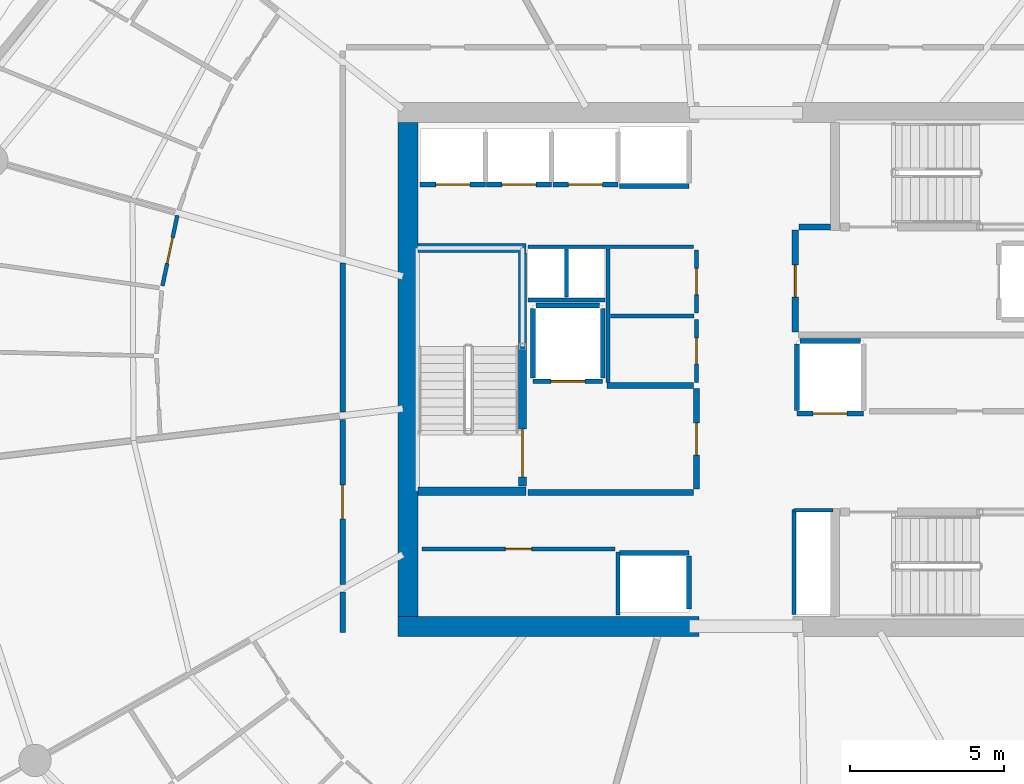
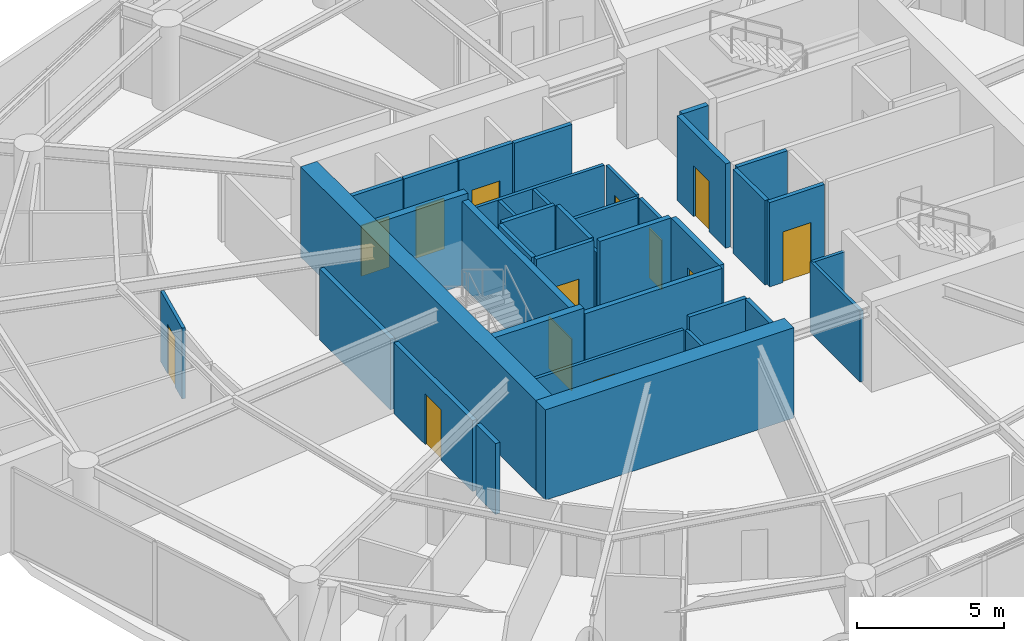
# One storey, part 12 of 21: 38 walls, 13 doors, 13 openings.
"""IFC4 building model written with IfcOpenShell, lengths in metres."""

from ifc_helpers import new_model, si_unit, direction, frame, frame_2d, origin, place, context, subcontext, project, spatial, rectangle, extrude, material, layer, layer_set, type_object, element, fill, save


model = new_model("IFC4")

# Units and contexts
model_context = context("Model", 3, precision=1e-05, world=origin(), true_north=direction((0.0, 1.0)))
body_context = subcontext(model_context, "Body", "Model", "MODEL_VIEW")
ifc_project = project(units=[si_unit("LENGTHUNIT", "METRE"), si_unit("AREAUNIT", "SQUARE_METRE"), si_unit("VOLUMEUNIT", "CUBIC_METRE"), si_unit("PLANEANGLEUNIT", "RADIAN"), si_unit("MASSUNIT", "GRAM", prefix="KILO")], contexts=[model_context])

# Site, building, storey
site_placement = place(None, origin())
site = spatial("IfcSite", under=ifc_project, at=site_placement, CompositionType="ELEMENT")
building_placement = place(site_placement, origin())
building = spatial("IfcBuilding", under=site, at=building_placement, Name="Kazma Halo Residences", CompositionType="ELEMENT")
storey_placement = place(building_placement, frame((0.0, 0.0, 176.550048828125)))
storey = spatial("IfcBuildingStorey", under=building, at=storey_placement, Name="L44", CompositionType="ELEMENT", Elevation=176.550048828125)

# Walls
ifc_material_1 = material(Name="Concrete C60/75", Category="concrete")
ifc_layer_1 = layer(ifc_material_1, 0.64990234375)
ifc_layer_set_1 = layer_set([ifc_layer_1], Name="Concrete C60/75")
wall_type_1 = type_object("IfcWallType", Name="WL-CORE-650", PredefinedType="SHEAR", material=ifc_layer_set_1)
wall_1_placement = place(storey_placement, frame((37.14990234375, 33.675048828125, 0.0), z_axis=(0.0, 0.0, 1.0), x_axis=(1.0, 0.0, 0.0)))
element("IfcWall", 1, at=wall_1_placement, inside=storey, type_object=wall_type_1, Name="L44 central core shear wall SW", PredefinedType="SHEAR", context=body_context, shape_type="SweptSolid", body=[
    extrude(rectangle(XDim=9.75, YDim=0.64990234375, at=frame_2d((4.875, 0.0))), origin(), (0.0, 0.0, 1.0), 3.75),
])
wall_2_placement = place(storey_placement, frame((37.47509765625, 34.0, 0.0), z_axis=(0.0, 0.0, 1.0), x_axis=(0.0, 1.0, 0.0)))
element("IfcWall", 2, at=wall_2_placement, inside=storey, type_object=wall_type_1, Name="L44 central core shear wall W", PredefinedType="SHEAR", context=body_context, shape_type="SweptSolid", body=[
    extrude(rectangle(XDim=16.0, YDim=0.64990234375, at=frame_2d((8.0, 0.0))), origin(), (0.0, 0.0, 1.0), 3.75),
])
ifc_layer_2 = layer(ifc_material_1, 0.280029296875)
ifc_layer_set_2 = layer_set([ifc_layer_2], Name="Concrete C60/75")
wall_type_2 = type_object("IfcWallType", Name="WL-CORE-ST-280", PredefinedType="SHEAR", material=ifc_layer_set_2)
for number, where, z_axis, x_axis, name in (
    (3, (37.800048828125, 38.06005859375, 0.0), (0.0, 0.0, 1.0), (1.0, 0.0, 0.0), "L44 stairwell bearing wall ST01-S"),
    (4, (37.800048828125, 45.93994140625, 0.0), (0.0, 0.0, 1.0), (1.0, 0.0, 0.0), "L44 stairwell bearing wall ST01-N"),
):
    element("IfcWall", number, at=place(storey_placement, frame(where, z_axis=z_axis, x_axis=x_axis)), inside=storey, type_object=wall_type_2, Name=name, PredefinedType="SHEAR", context=body_context, shape_type="SweptSolid", body=[
        extrude(rectangle(XDim=3.5, YDim=0.280029296875, at=frame_2d((1.75, 0.0))), origin(), (0.0, 0.0, 1.0), 3.75),
    ])
ifc_material_2 = material(Name="Acoustic Twin-Stud Gypsum")
ifc_layer_3 = layer(ifc_material_2, 0.179931640625)
ifc_layer_set_3 = layer_set([ifc_layer_3], Name="Acoustic Twin-Stud Gypsum")
wall_type_3 = type_object("IfcWallType", Name="WL-DEM-180", PredefinedType="PARTITIONING", material=ifc_layer_set_3)
wall_3_placement = place(storey_placement, frame((35.35009765625, 45.44775390625, 0.0), z_axis=(0.0, 0.0, 1.0), x_axis=(0.0, -1.0, 0.0)))
element("IfcWall", 5, at=wall_3_placement, inside=storey, type_object=wall_type_3, Name="L44 Apartment 2 inner wall 6", PredefinedType="PARTITIONING", context=body_context, shape_type="SweptSolid", body=[
    extrude(rectangle(XDim=4.824951171875, YDim=0.179931640625, at=frame_2d((2.41259765625, 0.0))), origin(), (0.0, 0.0, 1.0), 2.93994140625),
])

# Wall, opening, door
wall_4_placement = place(storey_placement, frame((35.35009765625, 40.3828125, 0.0), z_axis=(0.0, 0.0, 1.0), x_axis=(0.0, -1.0, 0.0)))
wall_4 = element("IfcWall", 6, at=wall_4_placement, inside=storey, type_object=wall_type_3, Name="L44 Apartment 3 entrance corridor wall", PredefinedType="PARTITIONING", context=body_context, shape_type="SweptSolid", body=[
    extrude(rectangle(XDim=5.34716796875, YDim=0.179931640625, at=frame_2d((2.673583984375, 0.0))), origin(), (0.0, 0.0, 1.0), 2.93994140625),
])
opening_1_placement = place(wall_4_placement, frame((2.12353515625, 0.0, 0.0)))
opening_1 = element("IfcOpeningElement", 7, at=opening_1_placement, cuts=wall_4, Name="Opening DA-1100", PredefinedType="OPENING", context=body_context, shape_type="SweptSolid", body=[
    extrude(rectangle(XDim=1.10009765625, YDim=2.10009765625, at=frame_2d((0.550048828125, 1.050048828125))), frame((0.0, 0.099853515625, 0.0), z_axis=(0.0, -1.0, 0.0), x_axis=(1.0, 0.0, 0.0)), (0.0, 0.0, 1.0), 0.199951171875),
])
ifc_material_3 = material(Name="Acoustic Walnut Fire Leaf")
door_type_1 = type_object("IfcDoorType", Name="DR-FD60-1100", OperationType="NOTDEFINED", PredefinedType="DOOR", material=ifc_material_3)
door_1_placement = place(opening_1_placement, origin())
door_1 = element("IfcDoor", 8, at=door_1_placement, inside=storey, type_object=door_type_1, Name="L44 Apartment 3 entrance fire door", OperationType="SINGLE_SWING_RIGHT", OverallHeight=2.10009765625, OverallWidth=1.10009765625, PredefinedType="DOOR", context=body_context, shape_type="SweptSolid", body=[
    extrude(rectangle(XDim=1.10009765625, YDim=2.10009765625, at=frame_2d((0.550048828125, 1.050048828125))), frame((0.0, 0.02490234375, 0.0), z_axis=(0.0, -1.0, 0.0), x_axis=(1.0, 0.0, 0.0)), (0.0, 0.0, 1.0), 0.050048828125),
])
fill(opening_1, door_1)

# Wall
wall_5_placement = place(storey_placement, frame((35.35009765625, 34.795654296875, 0.0), z_axis=(0.0, 0.0, 1.0), x_axis=(0.0, -1.0, 0.0)))
element("IfcWall", 9, at=wall_5_placement, inside=storey, type_object=wall_type_3, Name="L44 Apartment 3 inner wall 8", PredefinedType="PARTITIONING", context=body_context, shape_type="SweptSolid", body=[
    extrude(rectangle(XDim=1.32568359375, YDim=0.179931640625, at=frame_2d((0.662841796875, 0.0))), origin(), (0.0, 0.0, 1.0), 2.93994140625),
])

# Wall, opening, door
ifc_material_4 = material(Name="Fire-Rated Blockwork Masonry", Category="masonry")
ifc_layer_4 = layer(ifc_material_4, 0.199951171875)
ifc_layer_set_4 = layer_set([ifc_layer_4], Name="Fire-Rated Blockwork Masonry")
wall_type_4 = type_object("IfcWallType", Name="WL-FLB-200", PredefinedType="PARTITIONING", material=ifc_layer_set_4)
wall_6_placement = place(storey_placement, frame((39.97509765625, 47.9951171875, 0.0), z_axis=(0.0, 0.0, 1.0), x_axis=(-1.0, 0.0, 0.0)))
wall_6 = element("IfcWall", 10, at=wall_6_placement, inside=storey, type_object=wall_type_4, Name="L44 lift shaft PM-01 front wall", PredefinedType="PARTITIONING", context=body_context, shape_type="SweptSolid", body=[
    extrude(rectangle(XDim=2.110107421875, YDim=0.159912109375, at=frame_2d((1.05517578125, 0.0))), origin(), (0.0, 0.0, 1.0), 3.5),
])
opening_2_placement = place(wall_6_placement, frame((0.5048828125, 0.0, 0.0)))
opening_2 = element("IfcOpeningElement", 11, at=opening_2_placement, cuts=wall_6, Name="Opening LD-PM-01", PredefinedType="OPENING", context=body_context, shape_type="SweptSolid", body=[
    extrude(rectangle(XDim=1.10009765625, YDim=2.10009765625, at=frame_2d((0.550048828125, 1.050048828125))), frame((0.0, 0.08984375, 0.0), z_axis=(0.0, -1.0, 0.0), x_axis=(1.0, 0.0, 0.0)), (0.0, 0.0, 1.0), 0.179931640625),
])
ifc_material_5 = material(Name="Stainless Steel Fire-Rated", Category="steel")
door_type_2 = type_object("IfcDoorType", Name="DR-LIFT-SLD-1100", OperationType="DOUBLE_DOOR_SLIDING", PredefinedType="DOOR", material=ifc_material_5)
door_2_placement = place(opening_2_placement, origin())
door_2 = element("IfcDoor", 12, at=door_2_placement, inside=storey, type_object=door_type_2, Name="L44 lift PM-01 sliding landing door", OperationType="DOUBLE_DOOR_SLIDING", OverallHeight=2.10009765625, OverallWidth=1.10009765625, PredefinedType="DOOR", context=body_context, shape_type="SweptSolid", body=[
    extrude(rectangle(XDim=1.10009765625, YDim=2.10009765625, at=frame_2d((0.550048828125, 1.050048828125))), frame((0.0, 0.02490234375, 0.0), z_axis=(0.0, -1.0, 0.0), x_axis=(1.0, 0.0, 0.0)), (0.0, 0.0, 1.0), 0.050048828125),
])
fill(opening_2, door_2)

wall_7_placement = place(storey_placement, frame((42.125, 47.9951171875, 0.0), z_axis=(0.0, 0.0, 1.0), x_axis=(-1.0, 0.0, 0.0)))
wall_7 = element("IfcWall", 13, at=wall_7_placement, inside=storey, type_object=wall_type_4, Name="L44 lift shaft PM-02 front wall", PredefinedType="PARTITIONING", context=body_context, shape_type="SweptSolid", body=[
    extrude(rectangle(XDim=2.110107421875, YDim=0.159912109375, at=frame_2d((1.05517578125, 0.0))), origin(), (0.0, 0.0, 1.0), 3.5),
])
opening_3_placement = place(wall_7_placement, frame((0.5048828125, 0.0, 0.0)))
opening_3 = element("IfcOpeningElement", 14, at=opening_3_placement, cuts=wall_7, Name="Opening LD-PM-02", PredefinedType="OPENING", context=body_context, shape_type="SweptSolid", body=[
    extrude(rectangle(XDim=1.10009765625, YDim=2.10009765625, at=frame_2d((0.550048828125, 1.050048828125))), frame((0.0, 0.08984375, 0.0), z_axis=(0.0, -1.0, 0.0), x_axis=(1.0, 0.0, 0.0)), (0.0, 0.0, 1.0), 0.179931640625),
])
door_3_placement = place(opening_3_placement, origin())
door_3 = element("IfcDoor", 15, at=door_3_placement, inside=storey, type_object=door_type_2, Name="L44 lift PM-02 sliding landing door", OperationType="DOUBLE_DOOR_SLIDING", OverallHeight=2.10009765625, OverallWidth=1.10009765625, PredefinedType="DOOR", context=body_context, shape_type="SweptSolid", body=[
    extrude(rectangle(XDim=1.10009765625, YDim=2.10009765625, at=frame_2d((0.550048828125, 1.050048828125))), frame((0.0, 0.02490234375, 0.0), z_axis=(0.0, -1.0, 0.0), x_axis=(1.0, 0.0, 0.0)), (0.0, 0.0, 1.0), 0.050048828125),
])
fill(opening_3, door_3)

wall_8_placement = place(storey_placement, frame((44.27490234375, 47.9951171875, 0.0), z_axis=(0.0, 0.0, 1.0), x_axis=(-1.0, 0.0, 0.0)))
wall_8 = element("IfcWall", 16, at=wall_8_placement, inside=storey, type_object=wall_type_4, Name="L44 lift shaft PM-03 front wall", PredefinedType="PARTITIONING", context=body_context, shape_type="SweptSolid", body=[
    extrude(rectangle(XDim=2.10986328125, YDim=0.159912109375, at=frame_2d((1.054931640625, 0.0))), origin(), (0.0, 0.0, 1.0), 3.5),
])
opening_4_placement = place(wall_8_placement, frame((0.5048828125, 0.0, 0.0)))
opening_4 = element("IfcOpeningElement", 17, at=opening_4_placement, cuts=wall_8, Name="Opening LD-PM-03", PredefinedType="OPENING", context=body_context, shape_type="SweptSolid", body=[
    extrude(rectangle(XDim=1.10009765625, YDim=2.10009765625, at=frame_2d((0.550048828125, 1.050048828125))), frame((0.0, 0.08984375, 0.0), z_axis=(0.0, -1.0, 0.0), x_axis=(1.0, 0.0, 0.0)), (0.0, 0.0, 1.0), 0.179931640625),
])
door_4_placement = place(opening_4_placement, origin())
door_4 = element("IfcDoor", 18, at=door_4_placement, inside=storey, type_object=door_type_2, Name="L44 lift PM-03 sliding landing door", OperationType="DOUBLE_DOOR_SLIDING", OverallHeight=2.10009765625, OverallWidth=1.10009765625, PredefinedType="DOOR", context=body_context, shape_type="SweptSolid", body=[
    extrude(rectangle(XDim=1.10009765625, YDim=2.10009765625, at=frame_2d((0.550048828125, 1.050048828125))), frame((0.0, 0.02490234375, 0.0), z_axis=(0.0, -1.0, 0.0), x_axis=(1.0, 0.0, 0.0)), (0.0, 0.0, 1.0), 0.050048828125),
])
fill(opening_4, door_4)

# Walls
for number, where, z_axis, x_axis, name in (
    (19, (46.580078125, 47.945068359375, 0.0), (0.0, 0.0, 1.0), (-1.0, 0.0, 0.0), "L44 lift shaft PX-01 front wall"),
    (20, (44.320068359375, 36.054931640625, 0.0), (0.0, 0.0, 1.0), (1.0, 0.0, 0.0), "L44 lift shaft PX-02 front wall"),
):
    element("IfcWall", number, at=place(storey_placement, frame(where, z_axis=z_axis, x_axis=x_axis)), inside=storey, type_object=wall_type_4, Name=name, PredefinedType="PARTITIONING", context=body_context, shape_type="SweptSolid", body=[
        extrude(rectangle(XDim=2.260009765625, YDim=0.159912109375, at=frame_2d((1.1298828125, 0.0))), origin(), (0.0, 0.0, 1.0), 3.5),
    ])
wall_9_placement = place(storey_placement, frame((46.580078125, 34.2451171875, 0.0), z_axis=(0.0, 0.0, 1.0), x_axis=(0.0, 1.0, 0.0)))
element("IfcWall", 21, at=wall_9_placement, inside=storey, type_object=wall_type_4, Name="L44 lift shaft PX-02 side wall E", PredefinedType="PARTITIONING", context=body_context, shape_type="SweptSolid", body=[
    extrude(rectangle(XDim=1.7099609375, YDim=0.159912109375, at=frame_2d((0.85498046875, 0.0))), origin(), (0.0, 0.0, 1.0), 3.5),
])

# Wall, opening, door
wall_10_placement = place(storey_placement, frame((43.780029296875, 41.6201171875, 0.0), z_axis=(0.0, 0.0, 1.0), x_axis=(-1.0, 0.0, 0.0)))
wall_10 = element("IfcWall", 22, at=wall_10_placement, inside=storey, type_object=wall_type_4, Name="L44 lift shaft FL-01 front wall", PredefinedType="PARTITIONING", context=body_context, shape_type="SweptSolid", body=[
    extrude(rectangle(XDim=2.260009765625, YDim=0.159912109375, at=frame_2d((1.1298828125, 0.0))), origin(), (0.0, 0.0, 1.0), 3.5),
])
opening_5_placement = place(wall_10_placement, frame((0.580078125, 0.0, 0.0)))
opening_5 = element("IfcOpeningElement", 23, at=opening_5_placement, cuts=wall_10, Name="Opening LD-FL-01", PredefinedType="OPENING", context=body_context, shape_type="SweptSolid", body=[
    extrude(rectangle(XDim=1.10009765625, YDim=2.10009765625, at=frame_2d((0.550048828125, 1.050048828125))), frame((0.0, 0.08984375, 0.0), z_axis=(0.0, -1.0, 0.0), x_axis=(1.0, 0.0, 0.0)), (0.0, 0.0, 1.0), 0.179931640625),
])
door_5_placement = place(opening_5_placement, origin())
door_5 = element("IfcDoor", 24, at=door_5_placement, inside=storey, type_object=door_type_2, Name="L44 lift FL-01 sliding landing door", OperationType="DOUBLE_DOOR_SLIDING", OverallHeight=2.10009765625, OverallWidth=1.10009765625, PredefinedType="DOOR", context=body_context, shape_type="SweptSolid", body=[
    extrude(rectangle(XDim=1.10009765625, YDim=2.10009765625, at=frame_2d((0.550048828125, 1.050048828125))), frame((0.0, 0.02490234375, 0.0), z_axis=(0.0, -1.0, 0.0), x_axis=(1.0, 0.0, 0.0)), (0.0, 0.0, 1.0), 0.050048828125),
])
fill(opening_5, door_5)

# Walls
for number, where, z_axis, x_axis, name in (
    (25, (43.780029296875, 41.719970703125, 0.0), (0.0, 0.0, 1.0), (0.0, 1.0, 0.0), "L44 lift shaft FL-01 side wall E"),
    (26, (41.52001953125, 41.719970703125, 0.0), (0.0, 0.0, 1.0), (0.0, 1.0, 0.0), "L44 lift shaft FL-01 side wall W"),
):
    element("IfcWall", number, at=place(storey_placement, frame(where, z_axis=z_axis, x_axis=x_axis)), inside=storey, type_object=wall_type_4, Name=name, PredefinedType="PARTITIONING", context=body_context, shape_type="SweptSolid", body=[
        extrude(rectangle(XDim=2.260009765625, YDim=0.159912109375, at=frame_2d((1.1298828125, 0.0))), origin(), (0.0, 0.0, 1.0), 3.5),
    ])
wall_11_placement = place(storey_placement, frame((41.6201171875, 44.080078125, 0.0), z_axis=(0.0, 0.0, 1.0), x_axis=(1.0, 0.0, 0.0)))
element("IfcWall", 27, at=wall_11_placement, inside=storey, type_object=wall_type_4, Name="L44 lift shaft FL-01 side wall N", PredefinedType="PARTITIONING", context=body_context, shape_type="SweptSolid", body=[
    extrude(rectangle(XDim=2.059814453125, YDim=0.159912109375, at=frame_2d((1.02978515625, 0.0))), origin(), (0.0, 0.0, 1.0), 3.5),
])

# Wall, opening, door
wall_12_placement = place(storey_placement, frame((52.22998046875, 40.570068359375, 0.0), z_axis=(0.0, 0.0, 1.0), x_axis=(-1.0, 0.0, 0.0)))
wall_12 = element("IfcWall", 28, at=wall_12_placement, inside=storey, type_object=wall_type_4, Name="L44 lift shaft SV-01 front wall", PredefinedType="PARTITIONING", context=body_context, shape_type="SweptSolid", body=[
    extrude(rectangle(XDim=2.159912109375, YDim=0.159912109375, at=frame_2d((1.080078125, 0.0))), origin(), (0.0, 0.0, 1.0), 3.5),
])
opening_6_placement = place(wall_12_placement, frame((0.530029296875, 0.0, 0.0)))
opening_6 = element("IfcOpeningElement", 29, at=opening_6_placement, cuts=wall_12, Name="Opening LD-SV-01", PredefinedType="OPENING", context=body_context, shape_type="SweptSolid", body=[
    extrude(rectangle(XDim=1.10009765625, YDim=2.10009765625, at=frame_2d((0.550048828125, 1.050048828125))), frame((0.0, 0.08984375, 0.0), z_axis=(0.0, -1.0, 0.0), x_axis=(1.0, 0.0, 0.0)), (0.0, 0.0, 1.0), 0.179931640625),
])
door_6_placement = place(opening_6_placement, origin())
door_6 = element("IfcDoor", 30, at=door_6_placement, inside=storey, type_object=door_type_2, Name="L44 lift SV-01 sliding landing door", OperationType="DOUBLE_DOOR_SLIDING", OverallHeight=2.10009765625, OverallWidth=1.10009765625, PredefinedType="DOOR", context=body_context, shape_type="SweptSolid", body=[
    extrude(rectangle(XDim=1.10009765625, YDim=2.10009765625, at=frame_2d((0.550048828125, 1.050048828125))), frame((0.0, 0.02490234375, 0.0), z_axis=(0.0, -1.0, 0.0), x_axis=(1.0, 0.0, 0.0)), (0.0, 0.0, 1.0), 0.050048828125),
])
fill(opening_6, door_6)

# Walls
wall_13_placement = place(storey_placement, frame((50.070068359375, 40.669921875, 0.0), z_axis=(0.0, 0.0, 1.0), x_axis=(0.0, 1.0, 0.0)))
element("IfcWall", 31, at=wall_13_placement, inside=storey, type_object=wall_type_4, Name="L44 lift shaft SV-01 side wall W", PredefinedType="PARTITIONING", context=body_context, shape_type="SweptSolid", body=[
    extrude(rectangle(XDim=2.16015625, YDim=0.159912109375, at=frame_2d((1.080078125, 0.0))), origin(), (0.0, 0.0, 1.0), 3.5),
])
wall_14_placement = place(storey_placement, frame((50.169921875, 42.929931640625, 0.0), z_axis=(0.0, 0.0, 1.0), x_axis=(1.0, 0.0, 0.0)))
element("IfcWall", 32, at=wall_14_placement, inside=storey, type_object=wall_type_4, Name="L44 lift shaft SV-01 side wall N", PredefinedType="PARTITIONING", context=body_context, shape_type="SweptSolid", body=[
    extrude(rectangle(XDim=1.9599609375, YDim=0.159912109375, at=frame_2d((0.97998046875, 0.0))), origin(), (0.0, 0.0, 1.0), 3.5),
])
wall_15_placement = place(storey_placement, frame((41.35009765625, 38.02001953125, 0.0), z_axis=(0.0, 0.0, 1.0), x_axis=(1.0, 0.0, 0.0)))
element("IfcWall", 33, at=wall_15_placement, inside=storey, type_object=wall_type_4, Name="L44 west firefighting lobby south smoke wall", PredefinedType="PARTITIONING", context=body_context, shape_type="SweptSolid", body=[
    extrude(rectangle(XDim=5.369873046875, YDim=0.199951171875, at=frame_2d((2.68505859375, 0.0))), origin(), (0.0, 0.0, 1.0), 3.5),
])
wall_16_placement = place(storey_placement, frame((43.919921875, 41.47998046875, 0.0), z_axis=(0.0, 0.0, 1.0), x_axis=(1.0, 0.0, 0.0)))
element("IfcWall", 34, at=wall_16_placement, inside=storey, type_object=wall_type_4, Name="L44 west firefighting lobby north smoke wall", PredefinedType="PARTITIONING", context=body_context, shape_type="SweptSolid", body=[
    extrude(rectangle(XDim=2.800048828125, YDim=0.199951171875, at=frame_2d((1.39990234375, 0.0))), origin(), (0.0, 0.0, 1.0), 3.5),
])

# Wall, opening, door
wall_17_placement = place(storey_placement, frame((46.820068359375, 38.1201171875, 0.0), z_axis=(0.0, 0.0, 1.0), x_axis=(0.0, 1.0, 0.0)))
wall_17 = element("IfcWall", 35, at=wall_17_placement, inside=storey, type_object=wall_type_4, Name="L44 west firefighting lobby smoke wall", PredefinedType="PARTITIONING", context=body_context, shape_type="SweptSolid", body=[
    extrude(rectangle(XDim=3.259765625, YDim=0.199951171875, at=frame_2d((1.6298828125, 0.0))), origin(), (0.0, 0.0, 1.0), 3.5),
])
opening_7_placement = place(wall_17_placement, frame((1.10498046875, 0.0, 0.0)))
opening_7 = element("IfcOpeningElement", 36, at=opening_7_placement, cuts=wall_17, Name="Opening D-FLW", PredefinedType="OPENING", context=body_context, shape_type="SweptSolid", body=[
    extrude(rectangle(XDim=1.050048828125, YDim=2.10009765625, at=frame_2d((0.52490234375, 1.050048828125))), frame((0.0, 0.10986328125, 0.0), z_axis=(0.0, -1.0, 0.0), x_axis=(1.0, 0.0, 0.0)), (0.0, 0.0, 1.0), 0.219970703125),
])
ifc_material_6 = material(Name="Fire-Rated Steel Leaf", Category="steel")
door_type_3 = type_object("IfcDoorType", Name="DR-FD90-1050", OperationType="NOTDEFINED", PredefinedType="DOOR", material=ifc_material_6)
door_7_placement = place(opening_7_placement, origin())
door_7 = element("IfcDoor", 37, at=door_7_placement, inside=storey, type_object=door_type_3, Name="L44 west firefighting lobby smoke door", OperationType="SINGLE_SWING_LEFT", OverallHeight=2.10009765625, OverallWidth=1.050048828125, PredefinedType="DOOR", context=body_context, shape_type="SweptSolid", body=[
    extrude(rectangle(XDim=1.050048828125, YDim=2.10009765625, at=frame_2d((0.52490234375, 1.050048828125))), frame((0.0, 0.02490234375, 0.0), z_axis=(0.0, -1.0, 0.0), x_axis=(1.0, 0.0, 0.0)), (0.0, 0.0, 1.0), 0.050048828125),
])
fill(opening_7, door_7)

# Wall
wall_18_placement = place(storey_placement, frame((50.139892578125, 46.6201171875, 0.0), z_axis=(0.0, 0.0, 1.0), x_axis=(1.0, 0.0, 0.0)))
element("IfcWall", 38, at=wall_18_placement, inside=storey, type_object=wall_type_4, Name="L44 east firefighting lobby north closure wall", PredefinedType="PARTITIONING", context=body_context, shape_type="SweptSolid", body=[
    extrude(rectangle(XDim=1.02001953125, YDim=0.199951171875, at=frame_2d((0.510009765625, 0.0))), origin(), (0.0, 0.0, 1.0), 3.5),
])

# Wall, opening, door
wall_19_placement = place(storey_placement, frame((50.02001953125, 43.219970703125, 0.0), z_axis=(0.0, 0.0, 1.0), x_axis=(0.0, 1.0, 0.0)))
wall_19 = element("IfcWall", 39, at=wall_19_placement, inside=storey, type_object=wall_type_4, Name="L44 east firefighting lobby smoke wall", PredefinedType="PARTITIONING", context=body_context, shape_type="SweptSolid", body=[
    extrude(rectangle(XDim=3.300048828125, YDim=0.199951171875, at=frame_2d((1.64990234375, 0.0))), origin(), (0.0, 0.0, 1.0), 3.5),
])
opening_8_placement = place(wall_19_placement, frame((1.125, 0.0, 0.0)))
opening_8 = element("IfcOpeningElement", 40, at=opening_8_placement, cuts=wall_19, Name="Opening D-FLE", PredefinedType="OPENING", context=body_context, shape_type="SweptSolid", body=[
    extrude(rectangle(XDim=1.050048828125, YDim=2.10009765625, at=frame_2d((0.52490234375, 1.050048828125))), frame((0.0, 0.10986328125, 0.0), z_axis=(0.0, -1.0, 0.0), x_axis=(1.0, 0.0, 0.0)), (0.0, 0.0, 1.0), 0.219970703125),
])
door_8_placement = place(opening_8_placement, origin())
door_8 = element("IfcDoor", 41, at=door_8_placement, inside=storey, type_object=door_type_3, Name="L44 east firefighting lobby smoke door", OperationType="SINGLE_SWING_RIGHT", OverallHeight=2.10009765625, OverallWidth=1.050048828125, PredefinedType="DOOR", context=body_context, shape_type="SweptSolid", body=[
    extrude(rectangle(XDim=1.050048828125, YDim=2.10009765625, at=frame_2d((0.52490234375, 1.050048828125))), frame((0.0, 0.02490234375, 0.0), z_axis=(0.0, -1.0, 0.0), x_axis=(1.0, 0.0, 0.0)), (0.0, 0.0, 1.0), 0.050048828125),
])
fill(opening_8, door_8)

# Wall
ifc_material_7 = material(Name="Gypsum Plasterboard Partition")
ifc_layer_5 = layer(ifc_material_7, 0.125)
ifc_layer_set_5 = layer_set([ifc_layer_5], Name="Gypsum Plasterboard Partition")
wall_type_5 = type_object("IfcWallType", Name="WL-PART-125", PredefinedType="PARTITIONING", material=ifc_layer_set_5)
wall_20_placement = place(storey_placement, frame((44.280029296875, 34.050048828125, 0.0), z_axis=(0.0, 0.0, 1.0), x_axis=(0.0, 1.0, 0.0)))
element("IfcWall", 42, at=wall_20_placement, inside=storey, type_object=wall_type_5, Name="L44 reclaimed south east wall", PredefinedType="PARTITIONING", context=body_context, shape_type="SweptSolid", body=[
    extrude(rectangle(XDim=2.030029296875, YDim=0.125, at=frame_2d((1.01513671875, 0.0))), origin(), (0.0, 0.0, 1.0), 2.93994140625),
])

# Wall, opening, door
wall_21_placement = place(storey_placement, frame((37.919921875, 36.179931640625, 0.0), z_axis=(0.0, 0.0, 1.0), x_axis=(1.0, 0.0, 0.0)))
wall_21 = element("IfcWall", 43, at=wall_21_placement, inside=storey, type_object=wall_type_5, Name="L44 reclaimed south front wall", PredefinedType="PARTITIONING", context=body_context, shape_type="SweptSolid", body=[
    extrude(rectangle(XDim=6.260009765625, YDim=0.125, at=frame_2d((3.1298828125, 0.0))), origin(), (0.0, 0.0, 1.0), 2.93994140625),
])
opening_9_placement = place(wall_21_placement, frame((2.705078125, 0.0, 0.0)))
opening_9 = element("IfcOpeningElement", 44, at=opening_9_placement, cuts=wall_21, Name="Opening DS-850", PredefinedType="OPENING", context=body_context, shape_type="SweptSolid", body=[
    extrude(rectangle(XDim=0.85009765625, YDim=2.06005859375, at=frame_2d((0.425048828125, 1.030029296875))), frame((0.0, 0.072509765625, 0.0), z_axis=(0.0, -1.0, 0.0), x_axis=(1.0, 0.0, 0.0)), (0.0, 0.0, 1.0), 0.14501953125),
])
ifc_material_8 = material(Name="Painted Steel Access Leaf", Category="steel")
door_type_4 = type_object("IfcDoorType", Name="DR-SVC-850", OperationType="NOTDEFINED", PredefinedType="DOOR", material=ifc_material_8)
door_9_placement = place(opening_9_placement, origin())
door_9 = element("IfcDoor", 45, at=door_9_placement, inside=storey, type_object=door_type_4, Name="L44 reclaimed south service door", OperationType="SINGLE_SWING_LEFT", OverallHeight=2.06005859375, OverallWidth=0.85009765625, PredefinedType="DOOR", context=body_context, shape_type="SweptSolid", body=[
    extrude(rectangle(XDim=0.85009765625, YDim=2.06005859375, at=frame_2d((0.425048828125, 1.030029296875))), frame((0.0, 0.02490234375, 0.0), z_axis=(0.0, -1.0, 0.0), x_axis=(1.0, 0.0, 0.0)), (0.0, 0.0, 1.0), 0.050048828125),
])
fill(opening_9, door_9)

# Walls
wall_22_placement = place(storey_placement, frame((41.360107421875, 45.97998046875, 0.0), z_axis=(0.0, 0.0, 1.0), x_axis=(1.0, 0.0, 0.0)))
element("IfcWall", 46, at=wall_22_placement, inside=storey, type_object=wall_type_5, Name="L44 core north riser wall", PredefinedType="PARTITIONING", context=body_context, shape_type="SweptSolid", body=[
    extrude(rectangle(XDim=5.35986328125, YDim=0.125, at=frame_2d((2.679931640625, 0.0))), origin(), (0.0, 0.0, 1.0), 2.93994140625),
])
wall_23_placement = place(storey_placement, frame((41.360107421875, 44.260009765625, 0.0), z_axis=(0.0, 0.0, 1.0), x_axis=(1.0, 0.0, 0.0)))
element("IfcWall", 47, at=wall_23_placement, inside=storey, type_object=wall_type_5, Name="L44 core riser south wall", PredefinedType="PARTITIONING", context=body_context, shape_type="SweptSolid", body=[
    extrude(rectangle(XDim=2.5, YDim=0.125, at=frame_2d((1.25, 0.0))), origin(), (0.0, 0.0, 1.0), 2.93994140625),
])
wall_24_placement = place(storey_placement, frame((42.60009765625, 44.35009765625, 0.0), z_axis=(0.0, 0.0, 1.0), x_axis=(0.0, 1.0, 0.0)))
element("IfcWall", 48, at=wall_24_placement, inside=storey, type_object=wall_type_5, Name="L44 core riser divider wall", PredefinedType="PARTITIONING", context=body_context, shape_type="SweptSolid", body=[
    extrude(rectangle(XDim=1.5498046875, YDim=0.125, at=frame_2d((0.77490234375, 0.0))), origin(), (0.0, 0.0, 1.0), 2.93994140625),
])
wall_25_placement = place(storey_placement, frame((49.97998046875, 34.06005859375, 0.0), z_axis=(0.0, 0.0, 1.0), x_axis=(0.0, 1.0, 0.0)))
element("IfcWall", 49, at=wall_25_placement, inside=storey, type_object=wall_type_5, Name="L44 standpipe riser wall", PredefinedType="PARTITIONING", context=body_context, shape_type="SweptSolid", body=[
    extrude(rectangle(XDim=3.39990234375, YDim=0.125, at=frame_2d((1.699951171875, 0.0))), origin(), (0.0, 0.0, 1.0), 2.93994140625),
])
wall_26_placement = place(storey_placement, frame((49.97998046875, 37.43994140625, 0.0), z_axis=(0.0, 0.0, 1.0), x_axis=(1.0, 0.0, 0.0)))
element("IfcWall", 50, at=wall_26_placement, inside=storey, type_object=wall_type_5, Name="L44 standpipe riser north wall", PredefinedType="PARTITIONING", context=body_context, shape_type="SweptSolid", body=[
    extrude(rectangle(XDim=1.260009765625, YDim=0.125, at=frame_2d((0.6298828125, 0.0))), origin(), (0.0, 0.0, 1.0), 2.93994140625),
])
wall_27_placement = place(storey_placement, frame((43.949951171875, 41.580078125, 0.0), z_axis=(0.0, 0.0, 1.0), x_axis=(0.0, 1.0, 0.0)))
element("IfcWall", 51, at=wall_27_placement, inside=storey, type_object=wall_type_5, Name="L44 core service west wall", PredefinedType="PARTITIONING", context=body_context, shape_type="SweptSolid", body=[
    extrude(rectangle(XDim=4.31982421875, YDim=0.125, at=frame_2d((2.159912109375, 0.0))), origin(), (0.0, 0.0, 1.0), 2.93994140625),
])
wall_28_placement = place(storey_placement, frame((44.030029296875, 43.72998046875, 0.0), z_axis=(0.0, 0.0, 1.0), x_axis=(1.0, 0.0, 0.0)))
element("IfcWall", 52, at=wall_28_placement, inside=storey, type_object=wall_type_5, Name="L44 switch/IDF divider", PredefinedType="PARTITIONING", context=body_context, shape_type="SweptSolid", body=[
    extrude(rectangle(XDim=2.7099609375, YDim=0.125, at=frame_2d((1.35498046875, 0.0))), origin(), (0.0, 0.0, 1.0), 2.93994140625),
])

# Wall, opening, door
wall_29_placement = place(storey_placement, frame((46.820068359375, 41.580078125, 0.0), z_axis=(0.0, 0.0, 1.0), x_axis=(0.0, 1.0, 0.0)))
wall_29 = element("IfcWall", 53, at=wall_29_placement, inside=storey, type_object=wall_type_5, Name="L44 electrical switch room east wall", PredefinedType="PARTITIONING", context=body_context, shape_type="SweptSolid", body=[
    extrude(rectangle(XDim=2.0498046875, YDim=0.125, at=frame_2d((1.02490234375, 0.0))), origin(), (0.0, 0.0, 1.0), 2.93994140625),
])
opening_10_placement = place(wall_29_placement, frame((0.60009765625, 0.0, 0.0)))
opening_10 = element("IfcOpeningElement", 54, at=opening_10_placement, cuts=wall_29, Name="Opening DS-850", PredefinedType="OPENING", context=body_context, shape_type="SweptSolid", body=[
    extrude(rectangle(XDim=0.85009765625, YDim=2.06005859375, at=frame_2d((0.425048828125, 1.030029296875))), frame((0.0, 0.072509765625, 0.0), z_axis=(0.0, -1.0, 0.0), x_axis=(1.0, 0.0, 0.0)), (0.0, 0.0, 1.0), 0.14501953125),
])
door_10_placement = place(opening_10_placement, origin())
door_10 = element("IfcDoor", 55, at=door_10_placement, inside=storey, type_object=door_type_4, Name="L44 electrical switch room door", OperationType="SINGLE_SWING_LEFT", OverallHeight=2.06005859375, OverallWidth=0.85009765625, PredefinedType="DOOR", context=body_context, shape_type="SweptSolid", body=[
    extrude(rectangle(XDim=0.85009765625, YDim=2.06005859375, at=frame_2d((0.425048828125, 1.030029296875))), frame((0.0, 0.02490234375, 0.0), z_axis=(0.0, -1.0, 0.0), x_axis=(1.0, 0.0, 0.0)), (0.0, 0.0, 1.0), 0.050048828125),
])
fill(opening_10, door_10)

wall_30_placement = place(storey_placement, frame((46.820068359375, 43.830078125, 0.0), z_axis=(0.0, 0.0, 1.0), x_axis=(0.0, 1.0, 0.0)))
wall_30 = element("IfcWall", 56, at=wall_30_placement, inside=storey, type_object=wall_type_5, Name="L44 telecom IDF room east wall", PredefinedType="PARTITIONING", context=body_context, shape_type="SweptSolid", body=[
    extrude(rectangle(XDim=2.0498046875, YDim=0.125, at=frame_2d((1.02490234375, 0.0))), origin(), (0.0, 0.0, 1.0), 2.93994140625),
])
opening_11_placement = place(wall_30_placement, frame((0.60009765625, 0.0, 0.0)))
opening_11 = element("IfcOpeningElement", 57, at=opening_11_placement, cuts=wall_30, Name="Opening DS-850", PredefinedType="OPENING", context=body_context, shape_type="SweptSolid", body=[
    extrude(rectangle(XDim=0.85009765625, YDim=2.06005859375, at=frame_2d((0.425048828125, 1.030029296875))), frame((0.0, 0.072509765625, 0.0), z_axis=(0.0, -1.0, 0.0), x_axis=(1.0, 0.0, 0.0)), (0.0, 0.0, 1.0), 0.14501953125),
])
door_11_placement = place(opening_11_placement, origin())
door_11 = element("IfcDoor", 58, at=door_11_placement, inside=storey, type_object=door_type_4, Name="L44 telecom IDF room door", OperationType="SINGLE_SWING_RIGHT", OverallHeight=2.06005859375, OverallWidth=0.85009765625, PredefinedType="DOOR", context=body_context, shape_type="SweptSolid", body=[
    extrude(rectangle(XDim=0.85009765625, YDim=2.06005859375, at=frame_2d((0.425048828125, 1.030029296875))), frame((0.0, 0.02490234375, 0.0), z_axis=(0.0, -1.0, 0.0), x_axis=(1.0, 0.0, 0.0)), (0.0, 0.0, 1.0), 0.050048828125),
])
fill(opening_11, door_11)

wall_31_placement = place(storey_placement, frame((29.991455078125, 46.99609375, 0.0), z_axis=(0.0, 0.0, 1.0), x_axis=(-0.206685184769, -0.978407499152, 0.0)))
wall_31 = element("IfcWall", 59, at=wall_31_placement, inside=storey, type_object=wall_type_5, Name="L44 Apartment 2 Primary Bedroom hall wall", PredefinedType="PARTITIONING", context=body_context, shape_type="SweptSolid", body=[
    extrude(rectangle(XDim=2.333984375, YDim=0.125, at=frame_2d((1.1669921875, 0.0))), origin(), (0.0, 0.0, 1.0), 2.93994140625),
])
opening_12_placement = place(wall_31_placement, frame((0.741943359375, 0.0, 0.0)))
opening_12 = element("IfcOpeningElement", 60, at=opening_12_placement, cuts=wall_31, Name="Opening DB-900", PredefinedType="OPENING", context=body_context, shape_type="SweptSolid", body=[
    extrude(rectangle(XDim=0.85009765625, YDim=2.06005859375, at=frame_2d((0.425048828125, 1.030029296875))), frame((0.0, 0.072509765625, 0.0), z_axis=(0.0, -1.0, 0.0), x_axis=(1.0, 0.0, 0.0)), (0.0, 0.0, 1.0), 0.14501953125),
])
ifc_material_9 = material(Name="Moisture-Sealed Timber Leaf", Category="wood")
door_type_5 = type_object("IfcDoorType", Name="DR-BTH-900", OperationType="NOTDEFINED", PredefinedType="DOOR", material=ifc_material_9)
door_12_placement = place(opening_12_placement, origin())
door_12 = element("IfcDoor", 61, at=door_12_placement, inside=storey, type_object=door_type_5, Name="L44 Apartment 2 Primary Bedroom door", OperationType="SINGLE_SWING_RIGHT", OverallHeight=2.06005859375, OverallWidth=0.85009765625, PredefinedType="DOOR", context=body_context, shape_type="SweptSolid", body=[
    extrude(rectangle(XDim=0.85009765625, YDim=2.06005859375, at=frame_2d((0.425048828125, 1.030029296875))), frame((0.0, 0.02490234375, 0.0), z_axis=(0.0, -1.0, 0.0), x_axis=(1.0, 0.0, 0.0)), (0.0, 0.0, 1.0), 0.050048828125),
])
fill(opening_12, door_12)

ifc_material_10 = material(Name="Concrete C50/60", Category="concrete")
ifc_layer_6 = layer(ifc_material_10, 0.25)
ifc_layer_set_6 = layer_set([ifc_layer_6], Name="Concrete C50/60")
wall_type_6 = type_object("IfcWallType", Name="WL-SHF-250", PredefinedType="SOLIDWALL", material=ifc_layer_set_6)
wall_32_placement = place(storey_placement, frame((41.179931640625, 38.219970703125, 0.0), z_axis=(0.0, 0.0, 1.0), x_axis=(0.0, 1.0, 0.0)))
wall_32 = element("IfcWall", 62, at=wall_32_placement, inside=storey, type_object=wall_type_6, Name="L44 exit stair ST-01 enclosure wall", PredefinedType="SOLIDWALL", context=body_context, shape_type="SweptSolid", body=[
    extrude(rectangle(XDim=7.56005859375, YDim=0.25, at=frame_2d((3.780029296875, 0.0))), origin(), (0.0, 0.0, 1.0), 3.5),
])
opening_13_placement = place(wall_32_placement, frame((0.300048828125, 0.0, 0.0)))
opening_13 = element("IfcOpeningElement", 63, at=opening_13_placement, cuts=wall_32, Name="Opening D-ST1", PredefinedType="OPENING", context=body_context, shape_type="SweptSolid", body=[
    extrude(rectangle(XDim=1.550048828125, YDim=2.14990234375, at=frame_2d((0.77490234375, 1.074951171875))), frame((0.0, 0.135009765625, 0.0), z_axis=(0.0, -1.0, 0.0), x_axis=(1.0, 0.0, 0.0)), (0.0, 0.0, 1.0), 0.27001953125),
])
ifc_material_11 = material(Name="Fire-Rated Double Steel Leaf", Category="steel")
door_type_6 = type_object("IfcDoorType", Name="DR-FD90-1550", OperationType="NOTDEFINED", PredefinedType="DOOR", material=ifc_material_11)
door_13_placement = place(opening_13_placement, origin())
door_13 = element("IfcDoor", 64, at=door_13_placement, inside=storey, type_object=door_type_6, Name="L44 exit stair ST-01 fire door", OperationType="DOUBLE_DOOR_SINGLE_SWING", OverallHeight=2.14990234375, OverallWidth=1.550048828125, PredefinedType="DOOR", context=body_context, shape_type="SweptSolid", body=[
    extrude(rectangle(XDim=1.550048828125, YDim=2.14990234375, at=frame_2d((0.77490234375, 1.074951171875))), frame((0.0, 0.02490234375, 0.0), z_axis=(0.0, -1.0, 0.0), x_axis=(1.0, 0.0, 0.0)), (0.0, 0.0, 1.0), 0.050048828125),
])
fill(opening_13, door_13)

save(model, "model.ifc")
